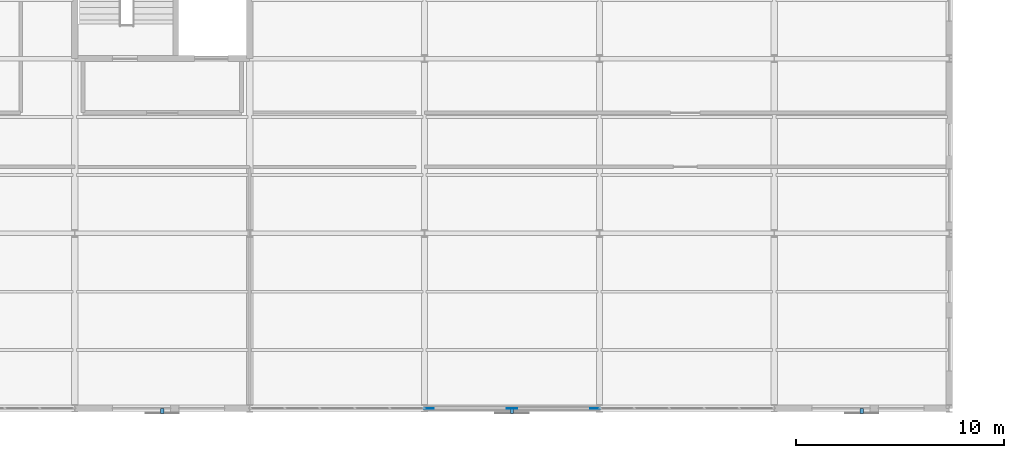
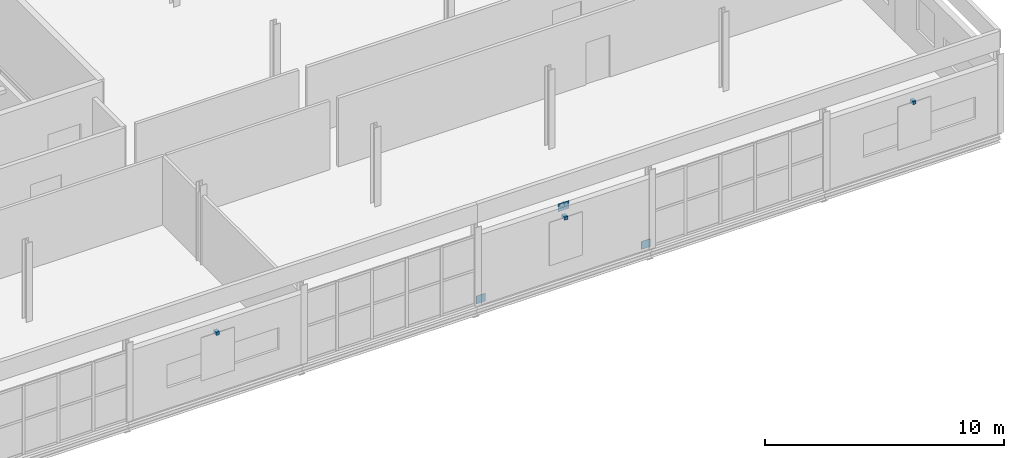
# One storey, part 173 of 184: 6 discrete accessories.
"""IFC4 building model written with IfcOpenShell, lengths in metres."""

from ifc_helpers import new_model, si_unit, direction, frame, origin, origin_2d, place, context, subcontext, project, spatial, rectangle, extrude, material, type_object, element, save


model = new_model("IFC4")

# Units and contexts
model_context = context("Model", 3, precision=1e-05, world=origin(), true_north=direction((0.0, 1.0)))
body_context = subcontext(model_context, "Body", "Model", "MODEL_VIEW")
ifc_project = project(units=[si_unit("LENGTHUNIT", "METRE"), si_unit("AREAUNIT", "SQUARE_METRE"), si_unit("VOLUMEUNIT", "CUBIC_METRE"), si_unit("PLANEANGLEUNIT", "RADIAN"), si_unit("MASSUNIT", "GRAM", prefix="KILO")], contexts=[model_context])

# Site, building, storey
site_placement = place(None, origin())
site = spatial("IfcSite", under=ifc_project, at=site_placement, CompositionType="ELEMENT")
building_placement = place(site_placement, origin())
building = spatial("IfcBuilding", under=site, at=building_placement, Name="Qalvenar Corner Mobility Hub", CompositionType="ELEMENT")
storey_placement = place(building_placement, frame((0.0, 0.0, 9.0)))
storey = spatial("IfcBuildingStorey", under=building, at=storey_placement, Name="L02", CompositionType="ELEMENT", Elevation=9.0)

# Discrete accessories
ifc_material = material(Name="Steel S355", Category="steel")
discrete_accessory_type_1 = type_object("IfcDiscreteAccessoryType", Name="ACC-GUSSET-PLT", PredefinedType="BRACKET", material=ifc_material)
discrete_accessory_placement = place(storey_placement, frame((147.0, 0.0, 3.330078125), z_axis=(0.0, 0.0, 1.0), x_axis=(1.0, 0.0, 0.0)))
element("IfcDiscreteAccessory", 1, at=discrete_accessory_placement, inside=storey, type_object=discrete_accessory_type_1, Name="Chevron Apex Gusset Plate GP-A-064", PredefinedType="BRACKET", context=body_context, shape_type="SweptSolid", body=[
    extrude(rectangle(XDim=0.52001953125, YDim=0.02490234375, at=origin_2d()), origin(), (0.0, 0.0, 1.0), 0.3798828125),
])
for number, where, z_axis, x_axis, name in (
    (2, (143.02001953125, 0.0, 0.0), (0.0, 0.0, 1.0), (1.0, 0.0, 0.0), "Brace Base Gusset Plate GP-B-065"),
    (3, (150.97998046875, 0.0, 0.0), (0.0, 0.0, 1.0), (1.0, 0.0, 0.0), "Brace Base Gusset Plate GP-B-066"),
):
    element("IfcDiscreteAccessory", number, at=place(storey_placement, frame(where, z_axis=z_axis, x_axis=x_axis)), inside=storey, type_object=discrete_accessory_type_1, Name=name, PredefinedType="BRACKET", context=body_context, shape_type="SweptSolid", body=[
        extrude(rectangle(XDim=0.449951171875, YDim=0.02490234375, at=origin_2d()), origin(), (0.0, 0.0, 1.0), 0.39990234375),
    ])
discrete_accessory_type_2 = type_object("IfcDiscreteAccessoryType", Name="ACC-HINGE-BRK", PredefinedType="BRACKET", material=ifc_material)
for number, where, z_axis, x_axis, name in (
    (4, (130.199951171875, -0.1201171875, 2.97021484375), (0.0, 0.0, 1.0), (1.0, 0.0, 0.0), "Workshop Louvre Bracket BKV6-L02-2"),
    (5, (147.0, -0.1201171875, 2.97021484375), (0.0, 0.0, 1.0), (1.0, 0.0, 0.0), "Workshop Louvre Bracket BKV6-L02-4"),
    (6, (163.800048828125, -0.1201171875, 2.97021484375), (0.0, 0.0, 1.0), (1.0, 0.0, 0.0), "Workshop Louvre Bracket BKV6-L02-6"),
):
    element("IfcDiscreteAccessory", number, at=place(storey_placement, frame(where, z_axis=z_axis, x_axis=x_axis)), inside=storey, type_object=discrete_accessory_type_2, Name=name, PredefinedType="BRACKET", context=body_context, shape_type="SweptSolid", body=[
        extrude(rectangle(XDim=0.159912109375, YDim=0.239990234375, at=origin_2d()), origin(), (0.0, 0.0, 1.0), 0.159912109375),
    ])

save(model, "model.ifc")
